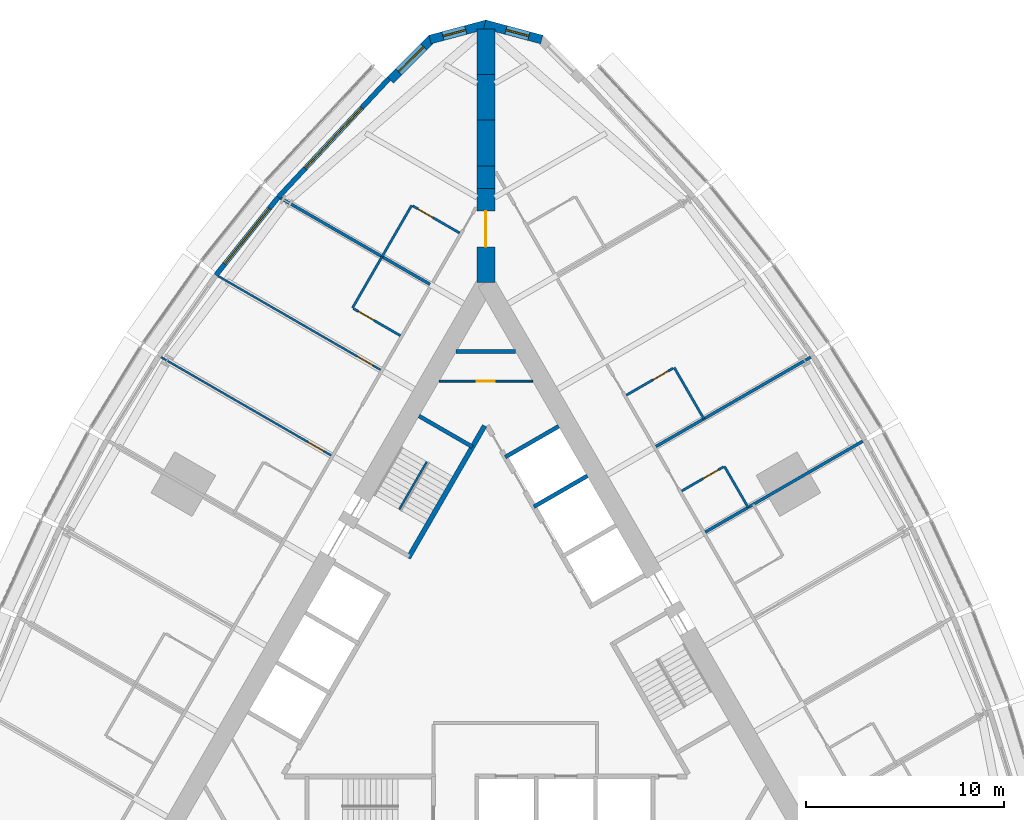
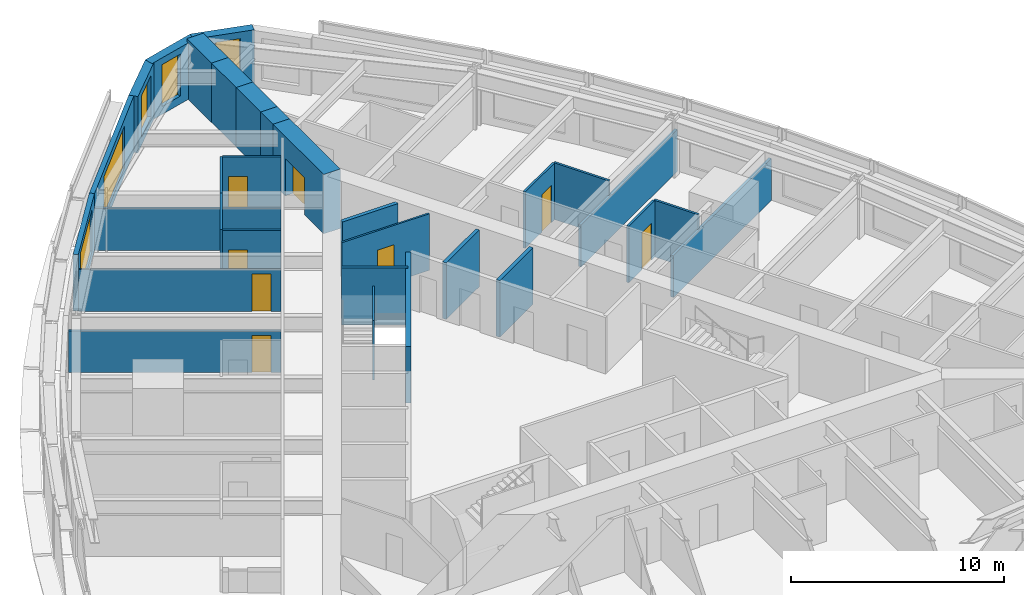
# One storey, part 12 of 14: 30 walls, 8 doors, 5 windows, 13 openings.
"""IFC4 building model written with IfcOpenShell, lengths in metres."""

from ifc_helpers import new_model, si_unit, direction, frame, frame_2d, origin, place, context, subcontext, project, spatial, polyline, rectangle, outline, extrude, material, layer, layer_set, type_object, element, fill, save


model = new_model("IFC4")

# Units and contexts
model_context = context("Model", 3, precision=1e-05, world=origin(), true_north=direction((0.0, 1.0)))
body_context = subcontext(model_context, "Body", "Model", "MODEL_VIEW")
ifc_project = project(units=[si_unit("LENGTHUNIT", "METRE"), si_unit("AREAUNIT", "SQUARE_METRE"), si_unit("VOLUMEUNIT", "CUBIC_METRE"), si_unit("PLANEANGLEUNIT", "RADIAN"), si_unit("MASSUNIT", "GRAM", prefix="KILO")], contexts=[model_context])

# Site, building, storey
site_placement = place(None, origin())
site = spatial("IfcSite", under=ifc_project, at=site_placement, CompositionType="ELEMENT")
building_placement = place(site_placement, origin())
building = spatial("IfcBuilding", under=site, at=building_placement, Name="Trikona Tower", CompositionType="ELEMENT")
storey_placement = place(building_placement, frame((0.0, 0.0, 82.89990234375)))
storey = spatial("IfcBuildingStorey", under=building, at=storey_placement, Name="L21", CompositionType="ELEMENT", Elevation=82.89990234375)

# Wall
ifc_material_1 = material(Name="Metal stud and cement board", Category="gypsum")
ifc_layer_1 = layer(ifc_material_1, 0.1201171875)
ifc_layer_set_1 = layer_set([ifc_layer_1], Name="Bathroom wall 120")
wall_type_1 = type_object("IfcWallType", Name="Bathroom wall 120", PredefinedType="PLUMBINGWALL", material=ifc_layer_set_1)
wall_1_placement = place(storey_placement, frame((13.27294921875, 7.6630859375, 0.0), z_axis=(0.0, 0.0, 1.0), x_axis=(-0.499957262057, 0.866050077142, 0.0)))
element("IfcWall", 1, at=wall_1_placement, inside=storey, type_object=wall_type_1, Name="Bathroom wall 2110", PredefinedType="PLUMBINGWALL", context=body_context, shape_type="SweptSolid", body=[
    extrude(rectangle(XDim=2.400146484375, YDim=0.1201171875, at=frame_2d((1.2001953125, 0.0))), origin(), (0.0, 0.0, 1.0), 3.235107421875),
])

# Wall, opening, door
wall_2_placement = place(storey_placement, frame((9.907958984375, 8.49169921875, 0.0), z_axis=(0.0, 0.0, 1.0), x_axis=(0.866023955769, 0.500002508028, 0.0)))
wall_2 = element("IfcWall", 2, at=wall_2_placement, inside=storey, type_object=wall_type_1, Name="Bathroom wall 2110", PredefinedType="PLUMBINGWALL", context=body_context, shape_type="SweptSolid", body=[
    extrude(rectangle(XDim=2.43994140625, YDim=0.1201171875, at=frame_2d((1.219970703125, 0.0))), origin(), (0.0, 0.0, 1.0), 3.235107421875),
])
opening_1_placement = place(wall_2_placement, frame((1.25, 0.0, 0.0)))
opening_1 = element("IfcOpeningElement", 3, at=opening_1_placement, cuts=wall_2, Name="Opening D2", PredefinedType="OPENING", context=body_context, shape_type="SweptSolid", body=[
    extrude(rectangle(XDim=0.89990234375, YDim=2.1298828125, at=frame_2d((0.449951171875, 1.06494140625))), frame((0.0, 0.070068359375, 0.0), z_axis=(0.0, -1.0, 0.0), x_axis=(1.0, 0.0, 0.0)), (0.0, 0.0, 1.0), 0.14013671875),
])
ifc_material_2 = material(Name="Steel door frame with solid-core timber leaf", Category="steel")
door_type_1 = type_object("IfcDoorType", Name="Bathroom door 900x2130", OperationType="SLIDING_TO_LEFT", PredefinedType="DOOR", material=ifc_material_2)
door_1_placement = place(opening_1_placement, origin())
door_1 = element("IfcDoor", 4, at=door_1_placement, inside=storey, type_object=door_type_1, Name="Bathroom door 2110", OperationType="SLIDING_TO_LEFT", OverallHeight=2.1298828125, OverallWidth=0.89990234375, PredefinedType="DOOR", context=body_context, shape_type="SweptSolid", body=[
    extrude(rectangle(XDim=0.89990234375, YDim=2.1298828125, at=frame_2d((0.449951171875, 1.06494140625))), frame((0.0, 0.02490234375, 0.0), z_axis=(0.0, -1.0, 0.0), x_axis=(1.0, 0.0, 0.0)), (0.0, 0.0, 1.0), 0.050048828125),
])
fill(opening_1, door_1)

# Wall
wall_3_placement = place(storey_placement, frame((11.03271484375, 12.143310546875, 0.0), z_axis=(0.0, 0.0, 1.0), x_axis=(-0.50002537861, 0.866010750942, 0.0)))
element("IfcWall", 5, at=wall_3_placement, inside=storey, type_object=wall_type_1, Name="Bathroom wall 2111", PredefinedType="PLUMBINGWALL", context=body_context, shape_type="SweptSolid", body=[
    extrude(rectangle(XDim=2.999755859375, YDim=0.1201171875, at=frame_2d((1.5, 0.0))), origin(), (0.0, 0.0, 1.0), 3.235107421875),
])

# Wall, opening, door
wall_4_placement = place(storey_placement, frame((7.10791015625, 13.34130859375, 0.0), z_axis=(0.0, 0.0, 1.0), x_axis=(0.866035715982, 0.499982138324, 0.0)))
wall_4 = element("IfcWall", 6, at=wall_4_placement, inside=storey, type_object=wall_type_1, Name="Bathroom wall 2111", PredefinedType="PLUMBINGWALL", context=body_context, shape_type="SweptSolid", body=[
    extrude(rectangle(XDim=2.73974609375, YDim=0.1201171875, at=frame_2d((1.369873046875, 0.0))), origin(), (0.0, 0.0, 1.0), 3.235107421875),
])
opening_2_placement = place(wall_4_placement, frame((1.550048828125, 0.0, 0.0)))
opening_2 = element("IfcOpeningElement", 7, at=opening_2_placement, cuts=wall_4, Name="Opening D2", PredefinedType="OPENING", context=body_context, shape_type="SweptSolid", body=[
    extrude(rectangle(XDim=0.89990234375, YDim=2.1298828125, at=frame_2d((0.449951171875, 1.06494140625))), frame((0.0, 0.070068359375, 0.0), z_axis=(0.0, -1.0, 0.0), x_axis=(1.0, 0.0, 0.0)), (0.0, 0.0, 1.0), 0.14013671875),
])
door_2_placement = place(opening_2_placement, origin())
door_2 = element("IfcDoor", 8, at=door_2_placement, inside=storey, type_object=door_type_1, Name="Bathroom door 2111", OperationType="SLIDING_TO_LEFT", OverallHeight=2.1298828125, OverallWidth=0.89990234375, PredefinedType="DOOR", context=body_context, shape_type="SweptSolid", body=[
    extrude(rectangle(XDim=0.89990234375, YDim=2.1298828125, at=frame_2d((0.449951171875, 1.06494140625))), frame((0.0, 0.02490234375, 0.0), z_axis=(0.0, -1.0, 0.0), x_axis=(1.0, 0.0, 0.0)), (0.0, 0.0, 1.0), 0.050048828125),
])
fill(opening_2, door_2)

# Wall
wall_5_placement = place(storey_placement, frame((-3.75341796875, 22.95166015625, 0.0), z_axis=(0.0, 0.0, 1.0), x_axis=(-0.499990139034, -0.866031096941, 0.0)))
element("IfcWall", 9, at=wall_5_placement, inside=storey, type_object=wall_type_1, Name="Bathroom wall 2113", PredefinedType="PLUMBINGWALL", context=body_context, shape_type="SweptSolid", body=[
    extrude(rectangle(XDim=3.0, YDim=0.1201171875, at=frame_2d((1.5, 0.0))), origin(), (0.0, 0.0, 1.0), 3.235107421875),
])

# Wall, opening, door
wall_6_placement = place(storey_placement, frame((-1.32861328125, 21.551513671875, 0.0), z_axis=(0.0, 0.0, 1.0), x_axis=(-0.865997131366, 0.500048966069, 0.0)))
wall_6 = element("IfcWall", 10, at=wall_6_placement, inside=storey, type_object=wall_type_1, Name="Bathroom wall 2113", PredefinedType="PLUMBINGWALL", context=body_context, shape_type="SweptSolid", body=[
    extrude(rectangle(XDim=2.739990234375, YDim=0.1201171875, at=frame_2d((1.3701171875, 0.0))), origin(), (0.0, 0.0, 1.0), 3.235107421875),
])
opening_3_placement = place(wall_6_placement, frame((1.550048828125, 0.0, 0.0)))
opening_3 = element("IfcOpeningElement", 11, at=opening_3_placement, cuts=wall_6, Name="Opening D2", PredefinedType="OPENING", context=body_context, shape_type="SweptSolid", body=[
    extrude(rectangle(XDim=0.89990234375, YDim=2.1298828125, at=frame_2d((0.449951171875, 1.06494140625))), frame((0.0, 0.070068359375, 0.0), z_axis=(0.0, -1.0, 0.0), x_axis=(1.0, 0.0, 0.0)), (0.0, 0.0, 1.0), 0.14013671875),
])
door_3_placement = place(opening_3_placement, origin())
door_3 = element("IfcDoor", 12, at=door_3_placement, inside=storey, type_object=door_type_1, Name="Bathroom door 2113", OperationType="SLIDING_TO_LEFT", OverallHeight=2.1298828125, OverallWidth=0.89990234375, PredefinedType="DOOR", context=body_context, shape_type="SweptSolid", body=[
    extrude(rectangle(XDim=0.89990234375, YDim=2.1298828125, at=frame_2d((0.449951171875, 1.06494140625))), frame((0.0, 0.02490234375, 0.0), z_axis=(0.0, -1.0, 0.0), x_axis=(1.0, 0.0, 0.0)), (0.0, 0.0, 1.0), 0.050048828125),
])
fill(opening_3, door_3)

# Wall
wall_7_placement = place(storey_placement, frame((-5.25341796875, 20.353515625, 0.0), z_axis=(0.0, 0.0, 1.0), x_axis=(-0.499990139034, -0.866031096941, 0.0)))
element("IfcWall", 13, at=wall_7_placement, inside=storey, type_object=wall_type_1, Name="Bathroom wall 2114.1", PredefinedType="PLUMBINGWALL", context=body_context, shape_type="SweptSolid", body=[
    extrude(rectangle(XDim=3.0, YDim=0.1201171875, at=frame_2d((1.5, 0.0))), origin(), (0.0, 0.0, 1.0), 3.235107421875),
])

# Wall, opening, door
wall_8_placement = place(storey_placement, frame((-4.32861328125, 16.35546875, 0.0), z_axis=(0.0, 0.0, 1.0), x_axis=(-0.866035715982, 0.499982138324, 0.0)))
wall_8 = element("IfcWall", 14, at=wall_8_placement, inside=storey, type_object=wall_type_1, Name="Bathroom wall 2114.1", PredefinedType="PLUMBINGWALL", context=body_context, shape_type="SweptSolid", body=[
    extrude(rectangle(XDim=2.73974609375, YDim=0.1201171875, at=frame_2d((1.369873046875, 0.0))), origin(), (0.0, 0.0, 1.0), 3.235107421875),
])
opening_4_placement = place(wall_8_placement, frame((1.550048828125, 0.0, 0.0)))
opening_4 = element("IfcOpeningElement", 15, at=opening_4_placement, cuts=wall_8, Name="Opening D2", PredefinedType="OPENING", context=body_context, shape_type="SweptSolid", body=[
    extrude(rectangle(XDim=0.89990234375, YDim=2.1298828125, at=frame_2d((0.449951171875, 1.06494140625))), frame((0.0, 0.070068359375, 0.0), z_axis=(0.0, -1.0, 0.0), x_axis=(1.0, 0.0, 0.0)), (0.0, 0.0, 1.0), 0.14013671875),
])
door_4_placement = place(opening_4_placement, origin())
door_4 = element("IfcDoor", 16, at=door_4_placement, inside=storey, type_object=door_type_1, Name="Bathroom door 2114.1", OperationType="SLIDING_TO_LEFT", OverallHeight=2.1298828125, OverallWidth=0.89990234375, PredefinedType="DOOR", context=body_context, shape_type="SweptSolid", body=[
    extrude(rectangle(XDim=0.89990234375, YDim=2.1298828125, at=frame_2d((0.449951171875, 1.06494140625))), frame((0.0, 0.02490234375, 0.0), z_axis=(0.0, -1.0, 0.0), x_axis=(1.0, 0.0, 0.0)), (0.0, 0.0, 1.0), 0.050048828125),
])
fill(opening_4, door_4)

# Wall, opening, window
ifc_material_3 = material(Name="Brick-faced precast concrete", Category="masonry")
ifc_layer_2 = layer(ifc_material_3, 0.449951171875)
ifc_layer_set_2 = layer_set([ifc_layer_2], Name="Brick-faced corner wall 450")
wall_type_2 = type_object("IfcWallType", Name="Brick-faced corner wall 450", PredefinedType="SOLIDWALL", material=ifc_layer_set_2)
wall_9_placement = place(storey_placement, frame((2.82861328125, 31.3408203125, 0.0), z_axis=(0.0, 0.0, 1.0), x_axis=(-0.965930548995, 0.258801419081, 0.0)))
wall_9 = element("IfcWall", 17, at=wall_9_placement, inside=storey, type_object=wall_type_2, Name="External wall L21-21", PredefinedType="SOLIDWALL", context=body_context, shape_type="SweptSolid", body=[
    extrude(outline(polyline([(2.988525390625, 0.22509765625), (2.92919921875, 0.22509765625), (2.4375, 0.09326171875), (2.40234375, 0.22509765625), (0.0, 0.22509765625), (0.0, -0.22509765625), (2.988525390625, -0.22509765625), (2.988525390625, 0.22509765625)])), origin(), (0.0, 0.0, 1.0), 3.235107421875),
])
opening_5_placement = place(wall_9_placement, frame((0.676025390625, 0.0, 0.449951171875)))
opening_5 = element("IfcOpeningElement", 18, at=opening_5_placement, cuts=wall_9, Name="Opening W1224", PredefinedType="OPENING", context=body_context, shape_type="SweptSolid", body=[
    extrude(rectangle(XDim=1.199951171875, YDim=2.39990234375, at=frame_2d((0.60009765625, 1.199951171875))), frame((0.0, 0.23486328125, 0.0), z_axis=(0.0, -1.0, 0.0), x_axis=(1.0, 0.0, 0.0)), (0.0, 0.0, 1.0), 0.469970703125),
])
ifc_material_4 = material(Name="Aluminium-framed double glazing", Category="aluminium")
window_type_1 = type_object("IfcWindowType", Name="Window 1200x2400", PartitioningType="SINGLE_PANEL", PredefinedType="WINDOW", material=ifc_material_4)
window_1_placement = place(opening_5_placement, origin())
window_1 = element("IfcWindow", 19, at=window_1_placement, inside=storey, type_object=window_type_1, Name="Window 2112", OverallHeight=2.39990234375, OverallWidth=1.199951171875, PartitioningType="SINGLE_PANEL", PredefinedType="WINDOW", context=body_context, shape_type="SweptSolid", body=[
    extrude(rectangle(XDim=1.199951171875, YDim=2.39990234375, at=frame_2d((0.60009765625, 1.199951171875))), frame((0.0, 0.030029296875, 0.0), z_axis=(0.0, -1.0, 0.0), x_axis=(1.0, 0.0, 0.0)), (0.0, 0.0, 1.0), 0.06005859375),
])
fill(opening_5, window_1)

wall_10_placement = place(storey_placement, frame((0.05810546875, 32.1142578125, 0.0), z_axis=(0.0, 0.0, 1.0), x_axis=(-0.965930548995, -0.258801419081, 0.0)))
wall_10 = element("IfcWall", 20, at=wall_10_placement, inside=storey, type_object=wall_type_2, Name="External wall L21-22", PredefinedType="SOLIDWALL", context=body_context, shape_type="SweptSolid", body=[
    extrude(outline(polyline([(2.988525390625, 0.22509765625), (0.58642578125, 0.22509765625), (0.551025390625, 0.09326171875), (0.059326171875, 0.22509765625), (0.0, 0.22509765625), (0.0, -0.22509765625), (2.988525390625, -0.22509765625), (2.988525390625, 0.22509765625)])), origin(), (0.0, 0.0, 1.0), 3.235107421875),
])
opening_6_placement = place(wall_10_placement, frame((1.112548828125, 0.0, 0.449951171875)))
opening_6 = element("IfcOpeningElement", 21, at=opening_6_placement, cuts=wall_10, Name="Opening W1224", PredefinedType="OPENING", context=body_context, shape_type="SweptSolid", body=[
    extrude(rectangle(XDim=1.199951171875, YDim=2.39990234375, at=frame_2d((0.60009765625, 1.199951171875))), frame((0.0, 0.23486328125, 0.0), z_axis=(0.0, -1.0, 0.0), x_axis=(1.0, 0.0, 0.0)), (0.0, 0.0, 1.0), 0.469970703125),
])
window_2_placement = place(opening_6_placement, origin())
window_2 = element("IfcWindow", 22, at=window_2_placement, inside=storey, type_object=window_type_1, Name="Window 2113", OverallHeight=2.39990234375, OverallWidth=1.199951171875, PartitioningType="SINGLE_PANEL", PredefinedType="WINDOW", context=body_context, shape_type="SweptSolid", body=[
    extrude(rectangle(XDim=1.199951171875, YDim=2.39990234375, at=frame_2d((0.60009765625, 1.199951171875))), frame((0.0, 0.030029296875, 0.0), z_axis=(0.0, -1.0, 0.0), x_axis=(1.0, 0.0, 0.0)), (0.0, 0.0, 1.0), 0.06005859375),
])
fill(opening_6, window_2)

wall_11_placement = place(storey_placement, frame((-2.727783203125, 31.39892578125, 0.0), z_axis=(0.0, 0.0, 1.0), x_axis=(-0.707106781187, -0.707106781187, 0.0)))
wall_11 = element("IfcWall", 23, at=wall_11_placement, inside=storey, type_object=wall_type_2, Name="External wall L21-23", PredefinedType="SOLIDWALL", context=body_context, shape_type="SweptSolid", body=[
    extrude(rectangle(XDim=2.98828125, YDim=0.449951171875, at=frame_2d((1.494140625, 0.0))), origin(), (0.0, 0.0, 1.0), 3.235107421875),
])
opening_7_placement = place(wall_11_placement, frame((0.59423828125, 0.0, 0.449951171875)))
opening_7 = element("IfcOpeningElement", 24, at=opening_7_placement, cuts=wall_11, Name="Opening W1824", PredefinedType="OPENING", context=body_context, shape_type="SweptSolid", body=[
    extrude(rectangle(XDim=1.800048828125, YDim=2.39990234375, at=frame_2d((0.89990234375, 1.199951171875))), frame((0.0, 0.23486328125, 0.0), z_axis=(0.0, -1.0, 0.0), x_axis=(1.0, 0.0, 0.0)), (0.0, 0.0, 1.0), 0.469970703125),
])
ifc_material_5 = material(Name="Aluminium-framed double glazing", Category="aluminium")
window_type_2 = type_object("IfcWindowType", Name="Window 1800x2400", PartitioningType="SINGLE_PANEL", PredefinedType="WINDOW", material=ifc_material_5)
window_3_placement = place(opening_7_placement, origin())
window_3 = element("IfcWindow", 25, at=window_3_placement, inside=storey, type_object=window_type_2, Name="Window 2113", OverallHeight=2.39990234375, OverallWidth=1.800048828125, PartitioningType="SINGLE_PANEL", PredefinedType="WINDOW", context=body_context, shape_type="SweptSolid", body=[
    extrude(rectangle(XDim=1.800048828125, YDim=2.39990234375, at=frame_2d((0.89990234375, 1.199951171875))), frame((0.0, 0.030029296875, 0.0), z_axis=(0.0, -1.0, 0.0), x_axis=(1.0, 0.0, 0.0)), (0.0, 0.0, 1.0), 0.06005859375),
])
fill(opening_7, window_3)

# Wall, opening, door
ifc_material_6 = material(Name="Concrete f'c 10000 psi", Category="concrete")
ifc_layer_3 = layer(ifc_material_6, 0.89990234375)
ifc_layer_set_3 = layer_set([ifc_layer_3], Name="Buttress wall 900")
wall_type_3 = type_object("IfcWallType", Name="Buttress wall 900", PredefinedType="SHEAR", material=ifc_layer_set_3)
wall_12_placement = place(storey_placement, frame((0.0, 19.052490234375, 0.0), z_axis=(0.0, 0.0, 1.0), x_axis=(0.0, 1.0, 0.0)))
wall_12 = element("IfcWall", 26, at=wall_12_placement, inside=storey, type_object=wall_type_3, Name="Buttress wall 2", PredefinedType="SHEAR", context=body_context, shape_type="SweptSolid", body=[
    extrude(rectangle(XDim=4.74609375, YDim=0.89990234375, at=frame_2d((2.373046875, 0.0))), origin(), (0.0, 0.0, 1.0), 3.400146484375),
])
opening_8_placement = place(wall_12_placement, frame((1.800048828125, 0.0, 0.0)))
opening_8 = element("IfcOpeningElement", 27, at=opening_8_placement, cuts=wall_12, Name="Opening D10", PredefinedType="OPENING", context=body_context, shape_type="SweptSolid", body=[
    extrude(rectangle(XDim=1.800048828125, YDim=2.1298828125, at=frame_2d((0.89990234375, 1.06494140625))), frame((0.0, 0.4599609375, 0.0), z_axis=(0.0, -1.0, 0.0), x_axis=(1.0, 0.0, 0.0)), (0.0, 0.0, 1.0), 0.919921875),
])
ifc_material_7 = material(Name="Hollow metal door and frame", Category="steel")
door_type_2 = type_object("IfcDoorType", Name="Cross-corridor door pair 1800x2130", OperationType="DOUBLE_DOOR_DOUBLE_SWING", PredefinedType="DOOR", material=ifc_material_7)
door_5_placement = place(opening_8_placement, origin())
door_5 = element("IfcDoor", 28, at=door_5_placement, inside=storey, type_object=door_type_2, Name="Cross-corridor door 2", OperationType="DOUBLE_DOOR_DOUBLE_SWING", OverallHeight=2.1298828125, OverallWidth=1.800048828125, PredefinedType="DOOR", context=body_context, shape_type="SweptSolid", body=[
    extrude(rectangle(XDim=1.800048828125, YDim=2.1298828125, at=frame_2d((0.89990234375, 1.06494140625))), frame((0.0, 0.02490234375, 0.0), z_axis=(0.0, -1.0, 0.0), x_axis=(1.0, 0.0, 0.0)), (0.0, 0.0, 1.0), 0.050048828125),
])
fill(opening_8, door_5)

# Walls
wall_13_placement = place(storey_placement, frame((0.0, 23.798583984375, 0.0), z_axis=(0.0, 0.0, 1.0), x_axis=(0.0, 1.0, 0.0)))
element("IfcWall", 29, at=wall_13_placement, inside=storey, type_object=wall_type_3, Name="Buttress wall 2 part 2", PredefinedType="SHEAR", context=body_context, shape_type="SweptSolid", body=[
    extrude(rectangle(XDim=1.15478515625, YDim=0.89990234375, at=frame_2d((0.577392578125, 0.0))), origin(), (0.0, 0.0, 1.0), 3.400146484375),
])
wall_14_placement = place(storey_placement, frame((0.0, 24.953369140625, 0.0), z_axis=(0.0, 0.0, 1.0), x_axis=(0.0, 1.0, 0.0)))
element("IfcWall", 30, at=wall_14_placement, inside=storey, type_object=wall_type_3, Name="Buttress wall 2 part 3", PredefinedType="SHEAR", context=body_context, shape_type="SweptSolid", body=[
    extrude(rectangle(XDim=2.309326171875, YDim=0.89990234375, at=frame_2d((1.15478515625, 0.0))), origin(), (0.0, 0.0, 1.0), 3.400146484375),
])
wall_15_placement = place(storey_placement, frame((0.0, 27.2626953125, 0.0), z_axis=(0.0, 0.0, 1.0), x_axis=(0.0, 1.0, 0.0)))
element("IfcWall", 31, at=wall_15_placement, inside=storey, type_object=wall_type_3, Name="Buttress wall 2 part 4", PredefinedType="SHEAR", context=body_context, shape_type="SweptSolid", body=[
    extrude(rectangle(XDim=2.3095703125, YDim=0.89990234375, at=frame_2d((1.15478515625, 0.0))), origin(), (0.0, 0.0, 1.0), 3.400146484375),
])
wall_16_placement = place(storey_placement, frame((0.0, 29.572265625, 0.0), z_axis=(0.0, 0.0, 1.0), x_axis=(0.0, 1.0, 0.0)))
element("IfcWall", 32, at=wall_16_placement, inside=storey, type_object=wall_type_3, Name="Buttress wall 2 part 5", PredefinedType="SHEAR", context=body_context, shape_type="SweptSolid", body=[
    extrude(rectangle(XDim=2.309326171875, YDim=0.89990234375, at=frame_2d((1.15478515625, 0.0))), origin(), (0.0, 0.0, 1.0), 3.400146484375),
])
ifc_material_8 = material(Name="Concrete f'c 8000 psi", Category="concrete")
ifc_layer_4 = layer(ifc_material_8, 0.25)
ifc_layer_set_4 = layer_set([ifc_layer_4], Name="Hub wall 250")
wall_type_4 = type_object("IfcWallType", Name="Hub wall 250", PredefinedType="SOLIDWALL", material=ifc_layer_set_4)
wall_17_placement = place(storey_placement, frame((-0.0625, 11.794189453125, 0.0), z_axis=(0.0, 0.0, 1.0), x_axis=(-0.500006680225, -0.86602154692, 0.0)))
element("IfcWall", 33, at=wall_17_placement, inside=storey, type_object=wall_type_4, Name="Lift lobby wall C1", PredefinedType="SOLIDWALL", context=body_context, shape_type="SweptSolid", body=[
    extrude(rectangle(XDim=7.73291015625, YDim=0.25, at=frame_2d((3.866455078125, 0.0))), origin(), (0.0, 0.0, 1.0), 3.235107421875),
])

# Wall, opening, window
ifc_material_9 = material(Name="Insulated precast concrete spandrel panel", Category="concrete")
ifc_layer_5 = layer(ifc_material_9, 0.25)
ifc_layer_set_5 = layer_set([ifc_layer_5], Name="Inner skin wall 250")
wall_type_5 = type_object("IfcWallType", Name="Inner skin wall 250", PredefinedType="STANDARD", material=ifc_layer_set_5)
wall_18_placement = place(storey_placement, frame((-4.90869140625, 29.359619140625, 0.0), z_axis=(0.0, 0.0, 1.0), x_axis=(-0.682289646561, -0.731081964075, 0.0)))
wall_18 = element("IfcWall", 34, at=wall_18_placement, inside=storey, type_object=wall_type_5, Name="External wall L21-24", PredefinedType="STANDARD", context=body_context, shape_type="SweptSolid", body=[
    extrude(rectangle(XDim=8.2109375, YDim=0.25, at=frame_2d((4.10546875, 0.0))), origin(), (0.0, 0.0, 1.0), 3.235107421875),
])
opening_9_placement = place(wall_18_placement, frame((2.005615234375, 0.0, 0.449951171875)))
opening_9 = element("IfcOpeningElement", 35, at=opening_9_placement, cuts=wall_18, Name="Opening W4224", PredefinedType="OPENING", context=body_context, shape_type="SweptSolid", body=[
    extrude(rectangle(XDim=4.199951171875, YDim=2.39990234375, at=frame_2d((2.10009765625, 1.199951171875))), frame((0.0, 0.135009765625, 0.0), z_axis=(0.0, -1.0, 0.0), x_axis=(1.0, 0.0, 0.0)), (0.0, 0.0, 1.0), 0.27001953125),
])
ifc_material_10 = material(Name="Aluminium-framed double glazing", Category="aluminium")
window_type_3 = type_object("IfcWindowType", Name="Window 4200x2400", PartitioningType="SINGLE_PANEL", PredefinedType="WINDOW", material=ifc_material_10)
window_4_placement = place(opening_9_placement, origin())
window_4 = element("IfcWindow", 36, at=window_4_placement, inside=storey, type_object=window_type_3, Name="Window 2113", OverallHeight=2.39990234375, OverallWidth=4.199951171875, PartitioningType="SINGLE_PANEL", PredefinedType="WINDOW", context=body_context, shape_type="SweptSolid", body=[
    extrude(rectangle(XDim=4.199951171875, YDim=2.39990234375, at=frame_2d((2.10009765625, 1.199951171875))), frame((0.0, 0.030029296875, 0.0), z_axis=(0.0, -1.0, 0.0), x_axis=(1.0, 0.0, 0.0)), (0.0, 0.0, 1.0), 0.06005859375),
])
fill(opening_9, window_4)

wall_19_placement = place(storey_placement, frame((-10.5048828125, 23.36376953125, 0.0), z_axis=(0.0, 0.0, 1.0), x_axis=(-0.624594965756, -0.780948864364, 0.0)))
wall_19 = element("IfcWall", 37, at=wall_19_placement, inside=storey, type_object=wall_type_5, Name="External wall L21-25", PredefinedType="STANDARD", context=body_context, shape_type="SweptSolid", body=[
    extrude(rectangle(XDim=5.0576171875, YDim=0.25, at=frame_2d((2.52880859375, 0.0))), origin(), (0.0, 0.0, 1.0), 3.235107421875),
])
opening_10_placement = place(wall_19_placement, frame((0.728759765625, 0.0, 0.449951171875)))
opening_10 = element("IfcOpeningElement", 38, at=opening_10_placement, cuts=wall_19, Name="Opening W3624", PredefinedType="OPENING", context=body_context, shape_type="SweptSolid", body=[
    extrude(rectangle(XDim=3.60009765625, YDim=2.39990234375, at=frame_2d((1.800048828125, 1.199951171875))), frame((0.0, 0.135009765625, 0.0), z_axis=(0.0, -1.0, 0.0), x_axis=(1.0, 0.0, 0.0)), (0.0, 0.0, 1.0), 0.27001953125),
])
ifc_material_11 = material(Name="Aluminium-framed double glazing", Category="aluminium")
window_type_4 = type_object("IfcWindowType", Name="Window 3600x2400", PartitioningType="SINGLE_PANEL", PredefinedType="WINDOW", material=ifc_material_11)
window_5_placement = place(opening_10_placement, origin())
window_5 = element("IfcWindow", 39, at=window_5_placement, inside=storey, type_object=window_type_4, Name="Window 2114.1", OverallHeight=2.39990234375, OverallWidth=3.60009765625, PartitioningType="SINGLE_PANEL", PredefinedType="WINDOW", context=body_context, shape_type="SweptSolid", body=[
    extrude(rectangle(XDim=3.60009765625, YDim=2.39990234375, at=frame_2d((1.800048828125, 1.199951171875))), frame((0.0, 0.030029296875, 0.0), z_axis=(0.0, -1.0, 0.0), x_axis=(1.0, 0.0, 0.0)), (0.0, 0.0, 1.0), 0.06005859375),
])
fill(opening_10, window_5)

# Walls
ifc_material_12 = material(Name="Metal stud and gypsum board, 1-hour acoustic", Category="gypsum")
ifc_layer_6 = layer(ifc_material_12, 0.14990234375)
ifc_layer_set_6 = layer_set([ifc_layer_6], Name="Party wall 150")
wall_type_6 = type_object("IfcWallType", Name="Party wall 150", PredefinedType="PARTITIONING", material=ifc_layer_set_6)
wall_20_placement = place(storey_placement, frame((11.10791015625, 6.4130859375, 0.0), z_axis=(0.0, 0.0, 1.0), x_axis=(0.866022450903, 0.500005114506, 0.0)))
element("IfcWall", 40, at=wall_20_placement, inside=storey, type_object=wall_type_6, Name="Partition L21 F2 u0", PredefinedType="PARTITIONING", context=body_context, shape_type="SweptSolid", body=[
    extrude(rectangle(XDim=9.1962890625, YDim=0.14990234375, at=frame_2d((4.59814453125, 0.0))), origin(), (0.0, 0.0, 1.0), 2.389404296875),
])
wall_21_placement = place(storey_placement, frame((8.60791015625, 10.743408203125, 0.0), z_axis=(0.0, 0.0, 1.0), x_axis=(0.866028232062, 0.499995101247, 0.0)))
element("IfcWall", 41, at=wall_21_placement, inside=storey, type_object=wall_type_6, Name="Partition L21 F2 u5", PredefinedType="PARTITIONING", context=body_context, shape_type="SweptSolid", body=[
    extrude(rectangle(XDim=9.04296875, YDim=0.14990234375, at=frame_2d((4.521484375, 0.0))), origin(), (0.0, 0.0, 1.0), 2.389404296875),
])
wall_22_placement = place(storey_placement, frame((-2.82861328125, 18.95361328125, 0.0), z_axis=(0.0, 0.0, 1.0), x_axis=(-0.866020536561, 0.500008430184, 0.0)))
element("IfcWall", 42, at=wall_22_placement, inside=storey, type_object=wall_type_6, Name="Partition L21 F3 u-15", PredefinedType="PARTITIONING", context=body_context, shape_type="SweptSolid", body=[
    extrude(rectangle(XDim=8.719970703125, YDim=0.14990234375, at=frame_2d((4.35986328125, 0.0))), origin(), (0.0, 0.0, 1.0), 2.389404296875),
])
ifc_material_13 = material(Name="Concrete f'c 8000 psi", Category="concrete")
ifc_layer_7 = layer(ifc_material_13, 0.199951171875)
ifc_layer_set_7 = layer_set([ifc_layer_7], Name="Shaft wall 200")
wall_type_7 = type_object("IfcWallType", Name="Shaft wall 200", PredefinedType="SOLIDWALL", material=ifc_layer_set_7)
for number, where, z_axis, x_axis, name in (
    (43, (2.428955078125, 7.695556640625, 0.0), (0.0, 0.0, 1.0), (0.866022959057, 0.500004234368, 0.0), "Shaft wall B5"),
    (44, (0.97900390625, 10.20703125, 0.0), (0.0, 0.0, 1.0), (0.866022959057, 0.500004234368, 0.0), "Shaft wall B6"),
):
    element("IfcWall", number, at=place(storey_placement, frame(where, z_axis=z_axis, x_axis=x_axis)), inside=storey, type_object=wall_type_7, Name=name, PredefinedType="SOLIDWALL", context=body_context, shape_type="SweptSolid", body=[
        extrude(rectangle(XDim=3.125, YDim=0.199951171875, at=frame_2d((1.5625, 0.0))), origin(), (0.0, 0.0, 1.0), 3.235107421875),
    ])
wall_23_placement = place(storey_placement, frame((-1.501220703125, 15.552490234375, 0.0), z_axis=(0.0, 0.0, 1.0), x_axis=(1.0, 0.0, 0.0)))
element("IfcWall", 45, at=wall_23_placement, inside=storey, type_object=wall_type_7, Name="Riser wall L21-RS2", PredefinedType="SOLIDWALL", context=body_context, shape_type="SweptSolid", body=[
    extrude(rectangle(XDim=3.00244140625, YDim=0.199951171875, at=frame_2d((1.501220703125, 0.0))), origin(), (0.0, 0.0, 1.0), 3.235107421875),
])
ifc_material_14 = material(Name="Concrete f'c 8000 psi", Category="concrete")
ifc_layer_8 = layer(ifc_material_14, 0.199951171875)
ifc_layer_set_8 = layer_set([ifc_layer_8], Name="Shaft wall 200 load-bearing")
wall_type_8 = type_object("IfcWallType", Name="Shaft wall 200 load-bearing", PredefinedType="SOLIDWALL", material=ifc_layer_set_8)
wall_24_placement = place(storey_placement, frame((-0.678955078125, 10.7265625, 0.0), z_axis=(0.0, 0.0, 1.0), x_axis=(-0.866022959057, 0.500004234368, 0.0)))
element("IfcWall", 46, at=wall_24_placement, inside=storey, type_object=wall_type_8, Name="Shaft wall C1", PredefinedType="SOLIDWALL", context=body_context, shape_type="SweptSolid", body=[
    extrude(rectangle(XDim=3.125, YDim=0.199951171875, at=frame_2d((1.5625, 0.0))), origin(), (0.0, 0.0, 1.0), 3.235107421875),
])
ifc_material_15 = material(Name="Concrete f'c 5000 psi", Category="concrete")
ifc_layer_9 = layer(ifc_material_15, 0.10009765625)
ifc_layer_set_9 = layer_set([ifc_layer_9], Name="Stair spine wall 100")
wall_type_9 = type_object("IfcWallType", Name="Stair spine wall 100", PredefinedType="SOLIDWALL", material=ifc_layer_set_9)
wall_25_placement = place(storey_placement, frame((-2.98779296875, 9.9775390625, 0.0), z_axis=(0.0, 0.0, 1.0), x_axis=(-0.499992232847, -0.866029888106, 0.0)))
element("IfcWall", 47, at=wall_25_placement, inside=storey, type_object=wall_type_9, Name="Stair C spine wall L21", PredefinedType="SOLIDWALL", context=body_context, shape_type="SweptSolid", body=[
    extrude(rectangle(XDim=2.7939453125, YDim=0.10009765625, at=frame_2d((1.39697265625, 0.0))), origin(), (0.0, 0.0, 1.0), 3.400146484375),
])

# Wall, opening, door
ifc_material_16 = material(Name="Metal stud and gypsum board, acoustic", Category="gypsum")
ifc_layer_10 = layer(ifc_material_16, 0.10009765625)
ifc_layer_set_10 = layer_set([ifc_layer_10], Name="Suite partition 100")
wall_type_10 = type_object("IfcWallType", Name="Suite partition 100", PredefinedType="PARTITIONING", material=ifc_layer_set_10)
wall_26_placement = place(storey_placement, frame((-5.32861328125, 14.623291015625, 0.0), z_axis=(0.0, 0.0, 1.0), x_axis=(-0.866018409083, 0.500012114982, 0.0)))
wall_26 = element("IfcWall", 48, at=wall_26_placement, inside=storey, type_object=wall_type_10, Name="Suite partition L21 F3 u-10", PredefinedType="PARTITIONING", context=body_context, shape_type="SweptSolid", body=[
    extrude(rectangle(XDim=9.484619140625, YDim=0.10009765625, at=frame_2d((4.7421875, 0.0))), origin(), (0.0, 0.0, 1.0), 2.389404296875),
])
opening_11_placement = place(wall_26_placement, frame((0.449951171875, 0.0, 0.0)))
opening_11 = element("IfcOpeningElement", 49, at=opening_11_placement, cuts=wall_26, Name="Opening D13", PredefinedType="OPENING", context=body_context, shape_type="SweptSolid", body=[
    extrude(rectangle(XDim=0.89990234375, YDim=2.1298828125, at=frame_2d((0.449951171875, 1.06494140625))), frame((0.0, 0.06005859375, 0.0), z_axis=(0.0, -1.0, 0.0), x_axis=(1.0, 0.0, 0.0)), (0.0, 0.0, 1.0), 0.1201171875),
])
ifc_material_17 = material(Name="Steel door frame with solid-core timber leaf", Category="steel")
door_type_3 = type_object("IfcDoorType", Name="Suite door 900x2130", OperationType="SINGLE_SWING_LEFT", PredefinedType="DOOR", material=ifc_material_17)
door_6_placement = place(opening_11_placement, origin())
door_6 = element("IfcDoor", 50, at=door_6_placement, inside=storey, type_object=door_type_3, Name="Suite door 2114", OperationType="SINGLE_SWING_LEFT", OverallHeight=2.1298828125, OverallWidth=0.89990234375, PredefinedType="DOOR", context=body_context, shape_type="SweptSolid", body=[
    extrude(rectangle(XDim=0.89990234375, YDim=2.1298828125, at=frame_2d((0.449951171875, 1.06494140625))), frame((0.0, 0.02490234375, 0.0), z_axis=(0.0, -1.0, 0.0), x_axis=(1.0, 0.0, 0.0)), (0.0, 0.0, 1.0), 0.050048828125),
])
fill(opening_11, door_6)

wall_27_placement = place(storey_placement, frame((-7.82861328125, 10.293212890625, 0.0), z_axis=(0.0, 0.0, 1.0), x_axis=(-0.866016302457, 0.50001576363, 0.0)))
wall_27 = element("IfcWall", 51, at=wall_27_placement, inside=storey, type_object=wall_type_10, Name="Suite partition L21 F3 u-5", PredefinedType="PARTITIONING", context=body_context, shape_type="SweptSolid", body=[
    extrude(rectangle(XDim=9.943115234375, YDim=0.10009765625, at=frame_2d((4.9716796875, 0.0))), origin(), (0.0, 0.0, 1.0), 2.389404296875),
])
opening_12_placement = place(wall_27_placement, frame((0.449951171875, 0.0, 0.0)))
opening_12 = element("IfcOpeningElement", 52, at=opening_12_placement, cuts=wall_27, Name="Opening D13", PredefinedType="OPENING", context=body_context, shape_type="SweptSolid", body=[
    extrude(rectangle(XDim=0.89990234375, YDim=2.1298828125, at=frame_2d((0.449951171875, 1.06494140625))), frame((0.0, 0.06005859375, 0.0), z_axis=(0.0, -1.0, 0.0), x_axis=(1.0, 0.0, 0.0)), (0.0, 0.0, 1.0), 0.1201171875),
])
door_7_placement = place(opening_12_placement, origin())
door_7 = element("IfcDoor", 53, at=door_7_placement, inside=storey, type_object=door_type_3, Name="Suite door 2114", OperationType="SINGLE_SWING_LEFT", OverallHeight=2.1298828125, OverallWidth=0.89990234375, PredefinedType="DOOR", context=body_context, shape_type="SweptSolid", body=[
    extrude(rectangle(XDim=0.89990234375, YDim=2.1298828125, at=frame_2d((0.449951171875, 1.06494140625))), frame((0.0, 0.02490234375, 0.0), z_axis=(0.0, -1.0, 0.0), x_axis=(1.0, 0.0, 0.0)), (0.0, 0.0, 1.0), 0.050048828125),
])
fill(opening_12, door_7)

wall_28_placement = place(storey_placement, frame((-2.3671875, 14.052490234375, 0.0), z_axis=(0.0, 0.0, 1.0), x_axis=(1.0, 0.0, 0.0)))
wall_28 = element("IfcWall", 54, at=wall_28_placement, inside=storey, type_object=wall_type_10, Name="Store partition L21-RS2", PredefinedType="PARTITIONING", context=body_context, shape_type="SweptSolid", body=[
    extrude(rectangle(XDim=4.734375, YDim=0.10009765625, at=frame_2d((2.3671875, 0.0))), origin(), (0.0, 0.0, 1.0), 3.235107421875),
])
opening_13_placement = place(wall_28_placement, frame((1.9169921875, 0.0, 0.0)))
opening_13 = element("IfcOpeningElement", 55, at=opening_13_placement, cuts=wall_28, Name="Opening D15", PredefinedType="OPENING", context=body_context, shape_type="SweptSolid", body=[
    extrude(rectangle(XDim=0.89990234375, YDim=2.1298828125, at=frame_2d((0.449951171875, 1.06494140625))), frame((0.0, 0.06005859375, 0.0), z_axis=(0.0, -1.0, 0.0), x_axis=(1.0, 0.0, 0.0)), (0.0, 0.0, 1.0), 0.1201171875),
])
ifc_material_18 = material(Name="Steel door frame with solid-core timber leaf", Category="steel")
door_type_4 = type_object("IfcDoorType", Name="Store door 900x2130", OperationType="SINGLE_SWING_LEFT", PredefinedType="DOOR", material=ifc_material_18)
door_8_placement = place(opening_13_placement, origin())
door_8 = element("IfcDoor", 56, at=door_8_placement, inside=storey, type_object=door_type_4, Name="Door Amenity store AMS", OperationType="SINGLE_SWING_LEFT", OverallHeight=2.1298828125, OverallWidth=0.89990234375, PredefinedType="DOOR", context=body_context, shape_type="SweptSolid", body=[
    extrude(rectangle(XDim=0.89990234375, YDim=2.1298828125, at=frame_2d((0.449951171875, 1.06494140625))), frame((0.0, 0.02490234375, 0.0), z_axis=(0.0, -1.0, 0.0), x_axis=(1.0, 0.0, 0.0)), (0.0, 0.0, 1.0), 0.050048828125),
])
fill(opening_13, door_8)

save(model, "model.ifc")
